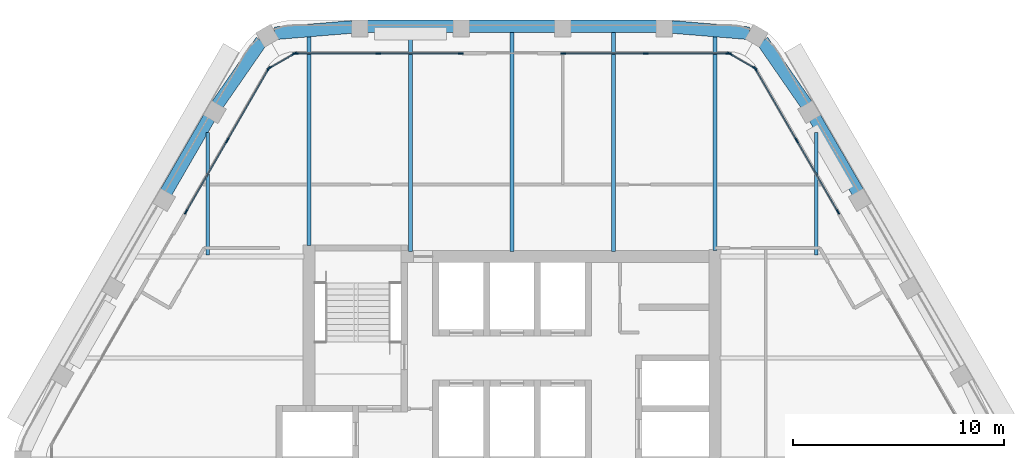
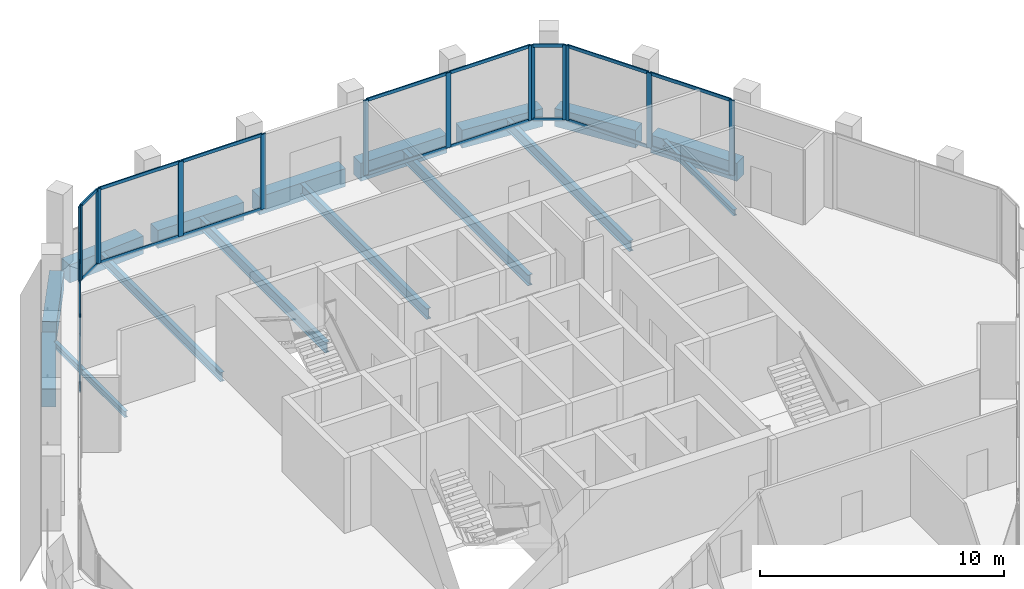
# One storey, part 5 of 13: 36 members, 16 beams, 6 elements without a shape of their own.
"""IFC4 building model written with IfcOpenShell, lengths in metres."""

from ifc_helpers import new_model, si_unit, direction, frame, origin, origin_2d, place, context, subcontext, project, spatial, rectangle, i_section, extrude, material, material_profile, profile_set, type_object, element, aggregate, save


model = new_model("IFC4")

# Units and contexts
model_context = context("Model", 3, precision=1e-05, world=origin(), true_north=direction((0.0, 1.0)))
body_context = subcontext(model_context, "Body", "Model", "MODEL_VIEW")
ifc_project = project(units=[si_unit("LENGTHUNIT", "METRE"), si_unit("AREAUNIT", "SQUARE_METRE"), si_unit("VOLUMEUNIT", "CUBIC_METRE"), si_unit("PLANEANGLEUNIT", "RADIAN"), si_unit("MASSUNIT", "GRAM", prefix="KILO")], contexts=[model_context])

# Site, building, storey
site_placement = place(None, origin())
site = spatial("IfcSite", under=ifc_project, at=site_placement, CompositionType="ELEMENT")
building_placement = place(site_placement, origin())
building = spatial("IfcBuilding", under=site, at=building_placement, Name="Kolab Exchange Tower", CompositionType="ELEMENT")
storey_placement = place(building_placement, frame((0.0, 0.0, 277.39990234375)))
storey = spatial("IfcBuildingStorey", under=building, at=storey_placement, Name="L62", CompositionType="ELEMENT", Elevation=277.39990234375)

# Beams
ifc_material_1 = material(Name="Steel S355", Category="steel")
ifc_material_profile_1 = material_profile(ifc_material_1, i_section(OverallWidth=0.1650390625, OverallDepth=0.31005859375, WebThickness=0.005859375, FlangeThickness=0.009765625, at=origin_2d()), Name="W310X39")
ifc_profile_set_1 = profile_set([ifc_material_profile_1], Name="Steel S355")
beam_type_1 = type_object("IfcBeamType", Name="FLOOR BEAM W310X39", PredefinedType="BEAM", material=ifc_profile_set_1)
for number, where, z_axis, x_axis, name in (
    (1, (-14.39990234375, 9.674072265625, -0.304931640625), (0.0, 1.0, 0.0), (-1.0, 0.0, 0.0), "beam/L62/fr/004"),
    (2, (14.39990234375, 9.674072265625, -0.304931640625), (0.0, 1.0, 0.0), (-1.0, 0.0, 0.0), "beam/L62/fr/019"),
):
    element("IfcBeam", number, at=place(storey_placement, frame(where, z_axis=z_axis, x_axis=x_axis)), inside=storey, type_object=beam_type_1, Name=name, PredefinedType="BEAM", context=body_context, shape_type="SweptSolid", body=[
        extrude(i_section(OverallWidth=0.1650390625, OverallDepth=0.31005859375, WebThickness=0.005859375, FlangeThickness=0.009765625, at=origin_2d()), origin(), (0.0, 0.0, 1.0), 5.793701171875),
    ])
ifc_material_profile_2 = material_profile(ifc_material_1, i_section(OverallWidth=0.18994140625, OverallDepth=0.45703125, WebThickness=0.009033203125, FlangeThickness=0.014404296875, at=origin_2d()), Name="W460X74")
ifc_profile_set_2 = profile_set([ifc_material_profile_2], Name="Steel S355")
beam_type_2 = type_object("IfcBeamType", Name="FLOOR BEAM W460X74", PredefinedType="BEAM", material=ifc_profile_set_2)
beam_1_placement = place(storey_placement, frame((-9.60009765625, 10.110107421875, -0.37841796875), z_axis=(0.0, 1.0, 0.0), x_axis=(-1.0, 0.0, 0.0)))
element("IfcBeam", 3, at=beam_1_placement, inside=storey, type_object=beam_type_2, Name="beam/L62/fr/006", PredefinedType="BEAM", context=body_context, shape_type="SweptSolid", body=[
    extrude(i_section(OverallWidth=0.18994140625, OverallDepth=0.45703125, WebThickness=0.009033203125, FlangeThickness=0.014404296875, at=origin_2d()), origin(), (0.0, 0.0, 1.0), 9.9169921875),
])
ifc_material_profile_3 = material_profile(ifc_material_1, i_section(OverallWidth=0.208984375, OverallDepth=0.532958984375, WebThickness=0.01025390625, FlangeThickness=0.015625, at=origin_2d()), Name="W530X92")
ifc_profile_set_3 = profile_set([ifc_material_profile_3], Name="Steel S355")
beam_type_3 = type_object("IfcBeamType", Name="FLOOR BEAM W530X92", PredefinedType="BEAM", material=ifc_profile_set_3)
for number, where, z_axis, x_axis, name in (
    (4, (-4.800048828125, 9.8349609375, -0.41650390625), (0.0, 1.0, 0.0), (-1.0, 0.0, 0.0), "beam/L62/fr/008"),
    (5, (0.0, 9.8349609375, -0.41650390625), (0.0, 1.0, 0.0), (-1.0, 0.0, 0.0), "beam/L62/fr/010"),
    (6, (4.800048828125, 9.8349609375, -0.41650390625), (0.0, 1.0, 0.0), (-1.0, 0.0, 0.0), "beam/L62/fr/012"),
):
    element("IfcBeam", number, at=place(storey_placement, frame(where, z_axis=z_axis, x_axis=x_axis)), inside=storey, type_object=beam_type_3, Name=name, PredefinedType="BEAM", context=body_context, shape_type="SweptSolid", body=[
        extrude(i_section(OverallWidth=0.208984375, OverallDepth=0.532958984375, WebThickness=0.01025390625, FlangeThickness=0.015625, at=origin_2d()), origin(), (0.0, 0.0, 1.0), 10.3896484375),
    ])
beam_2_placement = place(storey_placement, frame((9.60009765625, 9.885009765625, -0.41650390625), z_axis=(0.0, 1.0, 0.0), x_axis=(-1.0, 0.0, 0.0)))
element("IfcBeam", 7, at=beam_2_placement, inside=storey, type_object=beam_type_3, Name="beam/L62/fr/014", PredefinedType="BEAM", context=body_context, shape_type="SweptSolid", body=[
    extrude(i_section(OverallWidth=0.208984375, OverallDepth=0.532958984375, WebThickness=0.01025390625, FlangeThickness=0.015625, at=origin_2d()), origin(), (0.0, 0.0, 1.0), 10.14208984375),
])
ifc_material_2 = material(Name="Concrete C50/60", Category="concrete")
ifc_material_profile_4 = material_profile(ifc_material_2, rectangle(XDim=0.60009765625, YDim=0.89990234375, at=origin_2d()), Name="RC600X900")
ifc_profile_set_4 = profile_set([ifc_material_profile_4], Name="Concrete C50/60")
beam_type_4 = type_object("IfcBeamType", Name="SPANDREL BEAM 600X900 C50/60", PredefinedType="BEAM", material=ifc_profile_set_4)
beam_3_placement = place(storey_placement, frame((-11.216796875, 20.15576171875, -0.599853515625), z_axis=(0.996666751878, 0.081580547323, 0.0), x_axis=(-0.081580547323, 0.996666751878, 0.0)))
element("IfcBeam", 8, at=beam_3_placement, inside=storey, type_object=beam_type_4, Name="beam/L62/sp/F1-01", PredefinedType="BEAM", context=body_context, shape_type="SweptSolid", body=[
    extrude(rectangle(XDim=0.60009765625, YDim=0.89990234375, at=origin_2d()), origin(), (0.0, 0.0, 1.0), 3.6689453125),
])
for number, where, z_axis, x_axis, name in (
    (9, (-6.840087890625, 20.484619140625, -0.599853515625), (1.0, 0.0, 0.0), (0.0, 1.0, 0.0), "beam/L62/sp/F1-02"),
    (10, (-2.0400390625, 20.484619140625, -0.599853515625), (1.0, 0.0, 0.0), (0.0, 1.0, 0.0), "beam/L62/sp/F1-03"),
    (11, (2.760009765625, 20.484619140625, -0.599853515625), (1.0, 0.0, 0.0), (0.0, 1.0, 0.0), "beam/L62/sp/F1-04"),
):
    element("IfcBeam", number, at=place(storey_placement, frame(where, z_axis=z_axis, x_axis=x_axis)), inside=storey, type_object=beam_type_4, Name=name, PredefinedType="BEAM", context=body_context, shape_type="SweptSolid", body=[
        extrude(rectangle(XDim=0.60009765625, YDim=0.89990234375, at=origin_2d()), origin(), (0.0, 0.0, 1.0), 4.080078125),
    ])
for number, where, z_axis, x_axis, name in (
    (12, (7.56005859375, 20.455078125, -0.599853515625), (0.996666751878, -0.081580547323, 0.0), (0.081580547323, 0.996666751878, 0.0), "beam/L62/sp/F1-05"),
    (13, (11.846923828125, 19.7919921875, -0.599853515625), (0.569005808573, -0.822333502789, 0.0), (0.822333502789, 0.569005808573, 0.0), "beam/L62/sp/F2-01"),
):
    element("IfcBeam", number, at=place(storey_placement, frame(where, z_axis=z_axis, x_axis=x_axis)), inside=storey, type_object=beam_type_4, Name=name, PredefinedType="BEAM", context=body_context, shape_type="SweptSolid", body=[
        extrude(rectangle(XDim=0.60009765625, YDim=0.89990234375, at=origin_2d()), origin(), (0.0, 0.0, 1.0), 3.6689453125),
    ])
for number, where, z_axis, x_axis, name in (
    (14, (14.3203125, 16.166015625, -0.599853515625), (0.499955548806, -0.866051066172, 0.0), (0.866051066172, 0.499955548806, 0.0), "beam/L62/sp/F2-02"),
    (15, (-16.360107421875, 12.632568359375, -0.599853515625), (0.499955548806, 0.866051066172, 0.0), (-0.866051066172, 0.499955548806, 0.0), "beam/L62/sp/F6-04"),
):
    element("IfcBeam", number, at=place(storey_placement, frame(where, z_axis=z_axis, x_axis=x_axis)), inside=storey, type_object=beam_type_4, Name=name, PredefinedType="BEAM", context=body_context, shape_type="SweptSolid", body=[
        extrude(rectangle(XDim=0.60009765625, YDim=0.89990234375, at=origin_2d()), origin(), (0.0, 0.0, 1.0), 4.079833984375),
    ])
beam_4_placement = place(storey_placement, frame((-13.9345703125, 16.77490234375, -0.599853515625), z_axis=(0.569005808573, 0.822333502789, 0.0), x_axis=(-0.822333502789, 0.569005808573, 0.0)))
element("IfcBeam", 16, at=beam_4_placement, inside=storey, type_object=beam_type_4, Name="beam/L62/sp/F6-05", PredefinedType="BEAM", context=body_context, shape_type="SweptSolid", body=[
    extrude(rectangle(XDim=0.60009765625, YDim=0.89990234375, at=origin_2d()), origin(), (0.0, 0.0, 1.0), 3.6689453125),
])

# Curtain wall, members
ifc_material_3 = material(Name="Aluminium EN AW-6063 T6", Category="aluminium")
curtain_wall_type = type_object("IfcCurtainWallType", Name="UNITISED HIGH ZONE CURTAIN WALL", PredefinedType="NOTDEFINED", material=ifc_material_3)
curtain_wall_1_placement = place(storey_placement, origin())
curtain_wall_1 = element("IfcCurtainWall", 17, at=curtain_wall_1_placement, inside=storey, type_object=curtain_wall_type, Name="cw/L62/F1-1", PredefinedType="NOTDEFINED")
ifc_material_profile_5 = material_profile(ifc_material_3, rectangle(XDim=0.06005859375, YDim=0.239990234375, at=origin_2d()), Name="RECT 60X240")
ifc_profile_set_5 = profile_set([ifc_material_profile_5], Name="Aluminium EN AW-6063 T6")
member_type_1 = type_object("IfcMemberType", Name="UNITISED HIGH ZONE MULLION 60 X 240", PredefinedType="MULLION", material=ifc_profile_set_5)
member_1_placement = place(storey_placement, frame((-10.238037109375, 19.20458984375, 0.0), z_axis=(0.0, 0.0, 1.0), x_axis=(0.0, 1.0, 0.0)))
member_1 = element("IfcMember", 18, at=member_1_placement, type_object=member_type_1, Name="CW4 mullion 1", PredefinedType="MULLION", context=body_context, shape_type="SweptSolid", body=[
    extrude(rectangle(XDim=0.06005859375, YDim=0.239990234375, at=origin_2d()), origin(), (0.0, 0.0, 1.0), 3.75),
])
member_2_placement = place(storey_placement, frame((-6.333984375, 19.20458984375, 0.0), z_axis=(0.0, 0.0, 1.0), x_axis=(0.0, 1.0, 0.0)))
member_2 = element("IfcMember", 19, at=member_2_placement, type_object=member_type_1, Name="CW4 mullion 2", PredefinedType="MULLION", context=body_context, shape_type="SweptSolid", body=[
    extrude(rectangle(XDim=0.06005859375, YDim=0.239990234375, at=origin_2d()), origin(), (0.0, 0.0, 1.0), 3.75),
])
member_3_placement = place(storey_placement, frame((-2.429931640625, 19.20458984375, 0.0), z_axis=(0.0, 0.0, 1.0), x_axis=(0.0, 1.0, 0.0)))
member_3 = element("IfcMember", 20, at=member_3_placement, type_object=member_type_1, Name="CW4 mullion 3", PredefinedType="MULLION", context=body_context, shape_type="SweptSolid", body=[
    extrude(rectangle(XDim=0.06005859375, YDim=0.239990234375, at=origin_2d()), origin(), (0.0, 0.0, 1.0), 3.75),
])

curtain_wall_2_placement = place(storey_placement, origin())
curtain_wall_2 = element("IfcCurtainWall", 21, at=curtain_wall_2_placement, inside=storey, type_object=curtain_wall_type, Name="cw/L62/F1-2", PredefinedType="NOTDEFINED")
member_4_placement = place(storey_placement, frame((2.429931640625, 19.20458984375, 0.0), z_axis=(0.0, 0.0, 1.0), x_axis=(0.0, 1.0, 0.0)))
member_4 = element("IfcMember", 22, at=member_4_placement, type_object=member_type_1, Name="CW4 mullion 1", PredefinedType="MULLION", context=body_context, shape_type="SweptSolid", body=[
    extrude(rectangle(XDim=0.06005859375, YDim=0.239990234375, at=origin_2d()), origin(), (0.0, 0.0, 1.0), 3.75),
])
member_5_placement = place(storey_placement, frame((6.333984375, 19.20458984375, 0.0), z_axis=(0.0, 0.0, 1.0), x_axis=(0.0, 1.0, 0.0)))
member_5 = element("IfcMember", 23, at=member_5_placement, type_object=member_type_1, Name="CW4 mullion 2", PredefinedType="MULLION", context=body_context, shape_type="SweptSolid", body=[
    extrude(rectangle(XDim=0.06005859375, YDim=0.239990234375, at=origin_2d()), origin(), (0.0, 0.0, 1.0), 3.75),
])
member_6_placement = place(storey_placement, frame((10.238037109375, 19.20458984375, 0.0), z_axis=(0.0, 0.0, 1.0), x_axis=(0.0, 1.0, 0.0)))
member_6 = element("IfcMember", 24, at=member_6_placement, type_object=member_type_1, Name="CW4 mullion 3", PredefinedType="MULLION", context=body_context, shape_type="SweptSolid", body=[
    extrude(rectangle(XDim=0.06005859375, YDim=0.239990234375, at=origin_2d()), origin(), (0.0, 0.0, 1.0), 3.75),
])

curtain_wall_3_placement = place(storey_placement, origin())
curtain_wall_3 = element("IfcCurtainWall", 25, at=curtain_wall_3_placement, inside=storey, type_object=curtain_wall_type, Name="cw/L62/F2-1", PredefinedType="NOTDEFINED")
member_7_placement = place(storey_placement, frame((11.5126953125, 18.46875, 0.0), z_axis=(0.0, 0.0, 1.0), x_axis=(0.866025385493, 0.500000031681, 0.0)))
member_7 = element("IfcMember", 26, at=member_7_placement, type_object=member_type_1, Name="CW4 mullion 1", PredefinedType="MULLION", context=body_context, shape_type="SweptSolid", body=[
    extrude(rectangle(XDim=0.06005859375, YDim=0.239990234375, at=origin_2d()), origin(), (0.0, 0.0, 1.0), 3.75),
])
member_8_placement = place(storey_placement, frame((13.464599609375, 15.087646484375, 0.0), z_axis=(0.0, 0.0, 1.0), x_axis=(0.866025385493, 0.500000031681, 0.0)))
member_8 = element("IfcMember", 27, at=member_8_placement, type_object=member_type_1, Name="CW4 mullion 2", PredefinedType="MULLION", context=body_context, shape_type="SweptSolid", body=[
    extrude(rectangle(XDim=0.06005859375, YDim=0.239990234375, at=origin_2d()), origin(), (0.0, 0.0, 1.0), 3.75),
])
member_9_placement = place(storey_placement, frame((15.416748046875, 11.706787109375, 0.0), z_axis=(0.0, 0.0, 1.0), x_axis=(0.866025385493, 0.500000031681, 0.0)))
member_9 = element("IfcMember", 28, at=member_9_placement, type_object=member_type_1, Name="CW4 mullion 3", PredefinedType="MULLION", context=body_context, shape_type="SweptSolid", body=[
    extrude(rectangle(XDim=0.06005859375, YDim=0.239990234375, at=origin_2d()), origin(), (0.0, 0.0, 1.0), 3.75),
])

curtain_wall_4_placement = place(storey_placement, origin())
curtain_wall_4 = element("IfcCurtainWall", 29, at=curtain_wall_4_placement, inside=storey, type_object=curtain_wall_type, Name="cw/L62/F6-2", PredefinedType="NOTDEFINED")
member_10_placement = place(storey_placement, frame((-15.416748046875, 11.706787109375, 0.0), z_axis=(0.0, 0.0, 1.0), x_axis=(-0.866025385493, 0.500000031681, 0.0)))
member_10 = element("IfcMember", 30, at=member_10_placement, type_object=member_type_1, Name="CW4 mullion 1", PredefinedType="MULLION", context=body_context, shape_type="SweptSolid", body=[
    extrude(rectangle(XDim=0.06005859375, YDim=0.239990234375, at=origin_2d()), origin(), (0.0, 0.0, 1.0), 3.75),
])
member_11_placement = place(storey_placement, frame((-13.464599609375, 15.087646484375, 0.0), z_axis=(0.0, 0.0, 1.0), x_axis=(-0.866025385493, 0.500000031681, 0.0)))
member_11 = element("IfcMember", 31, at=member_11_placement, type_object=member_type_1, Name="CW4 mullion 2", PredefinedType="MULLION", context=body_context, shape_type="SweptSolid", body=[
    extrude(rectangle(XDim=0.06005859375, YDim=0.239990234375, at=origin_2d()), origin(), (0.0, 0.0, 1.0), 3.75),
])
member_12_placement = place(storey_placement, frame((-11.5126953125, 18.46875, 0.0), z_axis=(0.0, 0.0, 1.0), x_axis=(-0.866025385493, 0.500000031681, 0.0)))
member_12 = element("IfcMember", 32, at=member_12_placement, type_object=member_type_1, Name="CW4 mullion 3", PredefinedType="MULLION", context=body_context, shape_type="SweptSolid", body=[
    extrude(rectangle(XDim=0.06005859375, YDim=0.239990234375, at=origin_2d()), origin(), (0.0, 0.0, 1.0), 3.75),
])

curtain_wall_5_placement = place(storey_placement, origin())
curtain_wall_5 = element("IfcCurtainWall", 33, at=curtain_wall_5_placement, inside=storey, type_object=curtain_wall_type, Name="cw/L62/F1F2-corner", PredefinedType="NOTDEFINED")
member_13_placement = place(storey_placement, frame((10.2939453125, 19.189697265625, 0.0), z_axis=(0.0, 0.0, 1.0), x_axis=(0.50000002237, 0.866025390869, 0.0)))
member_13 = element("IfcMember", 34, at=member_13_placement, type_object=member_type_1, Name="CW4 mullion 1", PredefinedType="MULLION", context=body_context, shape_type="SweptSolid", body=[
    extrude(rectangle(XDim=0.06005859375, YDim=0.239990234375, at=origin_2d()), origin(), (0.0, 0.0, 1.0), 3.75),
])
member_14_placement = place(storey_placement, frame((11.4716796875, 18.509521484375, 0.0), z_axis=(0.0, 0.0, 1.0), x_axis=(0.50000002237, 0.866025390869, 0.0)))
member_14 = element("IfcMember", 35, at=member_14_placement, type_object=member_type_1, Name="CW4 mullion 2", PredefinedType="MULLION", context=body_context, shape_type="SweptSolid", body=[
    extrude(rectangle(XDim=0.06005859375, YDim=0.239990234375, at=origin_2d()), origin(), (0.0, 0.0, 1.0), 3.75),
])

curtain_wall_6_placement = place(storey_placement, origin())
curtain_wall_6 = element("IfcCurtainWall", 36, at=curtain_wall_6_placement, inside=storey, type_object=curtain_wall_type, Name="cw/L62/F6F1-corner", PredefinedType="NOTDEFINED")
member_15_placement = place(storey_placement, frame((-11.4716796875, 18.509521484375, 0.0), z_axis=(0.0, 0.0, 1.0), x_axis=(-0.50000002237, 0.866025390869, 0.0)))
member_15 = element("IfcMember", 37, at=member_15_placement, type_object=member_type_1, Name="CW4 mullion 1", PredefinedType="MULLION", context=body_context, shape_type="SweptSolid", body=[
    extrude(rectangle(XDim=0.06005859375, YDim=0.239990234375, at=origin_2d()), origin(), (0.0, 0.0, 1.0), 3.75),
])
member_16_placement = place(storey_placement, frame((-10.2939453125, 19.189697265625, 0.0), z_axis=(0.0, 0.0, 1.0), x_axis=(-0.50000002237, 0.866025390869, 0.0)))
member_16 = element("IfcMember", 38, at=member_16_placement, type_object=member_type_1, Name="CW4 mullion 2", PredefinedType="MULLION", context=body_context, shape_type="SweptSolid", body=[
    extrude(rectangle(XDim=0.06005859375, YDim=0.239990234375, at=origin_2d()), origin(), (0.0, 0.0, 1.0), 3.75),
])

# Member
ifc_material_profile_6 = material_profile(ifc_material_3, rectangle(XDim=0.06005859375, YDim=0.159912109375, at=origin_2d()), Name="RECT 60X160")
ifc_profile_set_6 = profile_set([ifc_material_profile_6], Name="Aluminium EN AW-6063 T6")
member_type_2 = type_object("IfcMemberType", Name="UNITISED HIGH ZONE TRANSOM 60 X 160", PredefinedType="USERDEFINED", material=ifc_profile_set_6)
member_17_placement = place(storey_placement, frame((-10.2080078125, 19.20458984375, 0.030029296875), z_axis=(1.0, 0.0, 0.0), x_axis=(0.0, 1.0, 0.0)))
member_17 = element("IfcMember", 39, at=member_17_placement, type_object=member_type_2, Name="CW4 transom 1.1", ObjectType="TRANSOM", PredefinedType="USERDEFINED", context=body_context, shape_type="SweptSolid", body=[
    extrude(rectangle(XDim=0.06005859375, YDim=0.159912109375, at=origin_2d()), origin(), (0.0, 0.0, 1.0), 3.843994140625),
])

member_18_placement = place(storey_placement, frame((-10.2080078125, 19.20458984375, 3.72021484375), z_axis=(1.0, 0.0, 0.0), x_axis=(0.0, 1.0, 0.0)))
member_18 = element("IfcMember", 40, at=member_18_placement, type_object=member_type_2, Name="CW4 transom 1.2", ObjectType="TRANSOM", PredefinedType="USERDEFINED", context=body_context, shape_type="SweptSolid", body=[
    extrude(rectangle(XDim=0.06005859375, YDim=0.159912109375, at=origin_2d()), origin(), (0.0, 0.0, 1.0), 3.843994140625),
])

member_19_placement = place(storey_placement, frame((-6.303955078125, 19.20458984375, 0.030029296875), z_axis=(1.0, 0.0, 0.0), x_axis=(0.0, 1.0, 0.0)))
member_19 = element("IfcMember", 41, at=member_19_placement, type_object=member_type_2, Name="CW4 transom 2.1", ObjectType="TRANSOM", PredefinedType="USERDEFINED", context=body_context, shape_type="SweptSolid", body=[
    extrude(rectangle(XDim=0.06005859375, YDim=0.159912109375, at=origin_2d()), origin(), (0.0, 0.0, 1.0), 3.843994140625),
])

member_20_placement = place(storey_placement, frame((-6.303955078125, 19.20458984375, 3.72021484375), z_axis=(1.0, 0.0, 0.0), x_axis=(0.0, 1.0, 0.0)))
member_20 = element("IfcMember", 42, at=member_20_placement, type_object=member_type_2, Name="CW4 transom 2.2", ObjectType="TRANSOM", PredefinedType="USERDEFINED", context=body_context, shape_type="SweptSolid", body=[
    extrude(rectangle(XDim=0.06005859375, YDim=0.159912109375, at=origin_2d()), origin(), (0.0, 0.0, 1.0), 3.843994140625),
])

aggregate(curtain_wall_1, [member_1, member_2, member_3, member_17, member_18, member_19, member_20])

member_21_placement = place(storey_placement, frame((2.4599609375, 19.20458984375, 0.030029296875), z_axis=(1.0, 0.0, 0.0), x_axis=(0.0, 1.0, 0.0)))
member_21 = element("IfcMember", 43, at=member_21_placement, type_object=member_type_2, Name="CW4 transom 1.1", ObjectType="TRANSOM", PredefinedType="USERDEFINED", context=body_context, shape_type="SweptSolid", body=[
    extrude(rectangle(XDim=0.06005859375, YDim=0.159912109375, at=origin_2d()), origin(), (0.0, 0.0, 1.0), 3.843994140625),
])

member_22_placement = place(storey_placement, frame((2.4599609375, 19.20458984375, 3.72021484375), z_axis=(1.0, 0.0, 0.0), x_axis=(0.0, 1.0, 0.0)))
member_22 = element("IfcMember", 44, at=member_22_placement, type_object=member_type_2, Name="CW4 transom 1.2", ObjectType="TRANSOM", PredefinedType="USERDEFINED", context=body_context, shape_type="SweptSolid", body=[
    extrude(rectangle(XDim=0.06005859375, YDim=0.159912109375, at=origin_2d()), origin(), (0.0, 0.0, 1.0), 3.843994140625),
])

member_23_placement = place(storey_placement, frame((6.364013671875, 19.20458984375, 0.030029296875), z_axis=(1.0, 0.0, 0.0), x_axis=(0.0, 1.0, 0.0)))
member_23 = element("IfcMember", 45, at=member_23_placement, type_object=member_type_2, Name="CW4 transom 2.1", ObjectType="TRANSOM", PredefinedType="USERDEFINED", context=body_context, shape_type="SweptSolid", body=[
    extrude(rectangle(XDim=0.06005859375, YDim=0.159912109375, at=origin_2d()), origin(), (0.0, 0.0, 1.0), 3.843994140625),
])

member_24_placement = place(storey_placement, frame((6.364013671875, 19.20458984375, 3.72021484375), z_axis=(1.0, 0.0, 0.0), x_axis=(0.0, 1.0, 0.0)))
member_24 = element("IfcMember", 46, at=member_24_placement, type_object=member_type_2, Name="CW4 transom 2.2", ObjectType="TRANSOM", PredefinedType="USERDEFINED", context=body_context, shape_type="SweptSolid", body=[
    extrude(rectangle(XDim=0.06005859375, YDim=0.159912109375, at=origin_2d()), origin(), (0.0, 0.0, 1.0), 3.843994140625),
])

aggregate(curtain_wall_2, [member_4, member_5, member_6, member_21, member_22, member_23, member_24])

member_25_placement = place(storey_placement, frame((11.527587890625, 18.442626953125, 0.030029296875), z_axis=(0.500039492609, -0.866002601515, 0.0), x_axis=(0.866002601515, 0.500039492609, 0.0)))
member_25 = element("IfcMember", 47, at=member_25_placement, type_object=member_type_2, Name="CW4 transom 1.1", ObjectType="TRANSOM", PredefinedType="USERDEFINED", context=body_context, shape_type="SweptSolid", body=[
    extrude(rectangle(XDim=0.06005859375, YDim=0.159912109375, at=origin_2d()), origin(), (0.0, 0.0, 1.0), 3.843994140625),
])

member_26_placement = place(storey_placement, frame((11.527587890625, 18.442626953125, 3.72021484375), z_axis=(0.500039492609, -0.866002601515, 0.0), x_axis=(0.866002601515, 0.500039492609, 0.0)))
member_26 = element("IfcMember", 48, at=member_26_placement, type_object=member_type_2, Name="CW4 transom 1.2", ObjectType="TRANSOM", PredefinedType="USERDEFINED", context=body_context, shape_type="SweptSolid", body=[
    extrude(rectangle(XDim=0.06005859375, YDim=0.159912109375, at=origin_2d()), origin(), (0.0, 0.0, 1.0), 3.843994140625),
])

member_27_placement = place(storey_placement, frame((13.479736328125, 15.061767578125, 0.030029296875), z_axis=(0.499964356602, -0.866045981532, 0.0), x_axis=(0.866045981532, 0.499964356602, 0.0)))
member_27 = element("IfcMember", 49, at=member_27_placement, type_object=member_type_2, Name="CW4 transom 2.1", ObjectType="TRANSOM", PredefinedType="USERDEFINED", context=body_context, shape_type="SweptSolid", body=[
    extrude(rectangle(XDim=0.06005859375, YDim=0.159912109375, at=origin_2d()), origin(), (0.0, 0.0, 1.0), 3.843994140625),
])

member_28_placement = place(storey_placement, frame((13.479736328125, 15.061767578125, 3.72021484375), z_axis=(0.499964356602, -0.866045981532, 0.0), x_axis=(0.866045981532, 0.499964356602, 0.0)))
member_28 = element("IfcMember", 50, at=member_28_placement, type_object=member_type_2, Name="CW4 transom 2.2", ObjectType="TRANSOM", PredefinedType="USERDEFINED", context=body_context, shape_type="SweptSolid", body=[
    extrude(rectangle(XDim=0.06005859375, YDim=0.159912109375, at=origin_2d()), origin(), (0.0, 0.0, 1.0), 3.843994140625),
])

aggregate(curtain_wall_3, [member_7, member_8, member_9, member_25, member_26, member_27, member_28])

member_29_placement = place(storey_placement, frame((-15.401611328125, 11.732666015625, 0.030029296875), z_axis=(0.499964356602, 0.866045981532, 0.0), x_axis=(-0.866045981532, 0.499964356602, 0.0)))
member_29 = element("IfcMember", 51, at=member_29_placement, type_object=member_type_2, Name="CW4 transom 1.1", ObjectType="TRANSOM", PredefinedType="USERDEFINED", context=body_context, shape_type="SweptSolid", body=[
    extrude(rectangle(XDim=0.06005859375, YDim=0.159912109375, at=origin_2d()), origin(), (0.0, 0.0, 1.0), 3.843994140625),
])

member_30_placement = place(storey_placement, frame((-15.401611328125, 11.732666015625, 3.72021484375), z_axis=(0.499964356602, 0.866045981532, 0.0), x_axis=(-0.866045981532, 0.499964356602, 0.0)))
member_30 = element("IfcMember", 52, at=member_30_placement, type_object=member_type_2, Name="CW4 transom 1.2", ObjectType="TRANSOM", PredefinedType="USERDEFINED", context=body_context, shape_type="SweptSolid", body=[
    extrude(rectangle(XDim=0.06005859375, YDim=0.159912109375, at=origin_2d()), origin(), (0.0, 0.0, 1.0), 3.843994140625),
])

member_31_placement = place(storey_placement, frame((-13.44970703125, 15.11376953125, 0.030029296875), z_axis=(0.500039492609, 0.866002601515, 0.0), x_axis=(-0.866002601515, 0.500039492609, 0.0)))
member_31 = element("IfcMember", 53, at=member_31_placement, type_object=member_type_2, Name="CW4 transom 2.1", ObjectType="TRANSOM", PredefinedType="USERDEFINED", context=body_context, shape_type="SweptSolid", body=[
    extrude(rectangle(XDim=0.06005859375, YDim=0.159912109375, at=origin_2d()), origin(), (0.0, 0.0, 1.0), 3.843994140625),
])

member_32_placement = place(storey_placement, frame((-13.44970703125, 15.11376953125, 3.72021484375), z_axis=(0.500039492609, 0.866002601515, 0.0), x_axis=(-0.866002601515, 0.500039492609, 0.0)))
member_32 = element("IfcMember", 54, at=member_32_placement, type_object=member_type_2, Name="CW4 transom 2.2", ObjectType="TRANSOM", PredefinedType="USERDEFINED", context=body_context, shape_type="SweptSolid", body=[
    extrude(rectangle(XDim=0.06005859375, YDim=0.159912109375, at=origin_2d()), origin(), (0.0, 0.0, 1.0), 3.843994140625),
])

aggregate(curtain_wall_4, [member_10, member_11, member_12, member_29, member_30, member_31, member_32])

member_33_placement = place(storey_placement, frame((10.31982421875, 19.174560546875, 0.030029296875), z_axis=(0.866085525409, -0.49989585183, 0.0), x_axis=(0.49989585183, 0.866085525409, 0.0)))
member_33 = element("IfcMember", 55, at=member_33_placement, type_object=member_type_2, Name="CW4 transom 1.1", ObjectType="TRANSOM", PredefinedType="USERDEFINED", context=body_context, shape_type="SweptSolid", body=[
    extrude(rectangle(XDim=0.06005859375, YDim=0.159912109375, at=origin_2d()), origin(), (0.0, 0.0, 1.0), 1.300048828125),
])

member_34_placement = place(storey_placement, frame((10.31982421875, 19.174560546875, 3.72021484375), z_axis=(0.866085525409, -0.49989585183, 0.0), x_axis=(0.49989585183, 0.866085525409, 0.0)))
member_34 = element("IfcMember", 56, at=member_34_placement, type_object=member_type_2, Name="CW4 transom 1.2", ObjectType="TRANSOM", PredefinedType="USERDEFINED", context=body_context, shape_type="SweptSolid", body=[
    extrude(rectangle(XDim=0.06005859375, YDim=0.159912109375, at=origin_2d()), origin(), (0.0, 0.0, 1.0), 1.300048828125),
])

aggregate(curtain_wall_5, [member_13, member_14, member_33, member_34])

member_35_placement = place(storey_placement, frame((-11.44580078125, 18.524658203125, 0.030029296875), z_axis=(0.866085525409, 0.49989585183, 0.0), x_axis=(-0.49989585183, 0.866085525409, 0.0)))
member_35 = element("IfcMember", 57, at=member_35_placement, type_object=member_type_2, Name="CW4 transom 1.1", ObjectType="TRANSOM", PredefinedType="USERDEFINED", context=body_context, shape_type="SweptSolid", body=[
    extrude(rectangle(XDim=0.06005859375, YDim=0.159912109375, at=origin_2d()), origin(), (0.0, 0.0, 1.0), 1.300048828125),
])

member_36_placement = place(storey_placement, frame((-11.44580078125, 18.524658203125, 3.72021484375), z_axis=(0.866085525409, 0.49989585183, 0.0), x_axis=(-0.49989585183, 0.866085525409, 0.0)))
member_36 = element("IfcMember", 58, at=member_36_placement, type_object=member_type_2, Name="CW4 transom 1.2", ObjectType="TRANSOM", PredefinedType="USERDEFINED", context=body_context, shape_type="SweptSolid", body=[
    extrude(rectangle(XDim=0.06005859375, YDim=0.159912109375, at=origin_2d()), origin(), (0.0, 0.0, 1.0), 1.300048828125),
])

aggregate(curtain_wall_6, [member_15, member_16, member_35, member_36])

save(model, "model.ifc")
